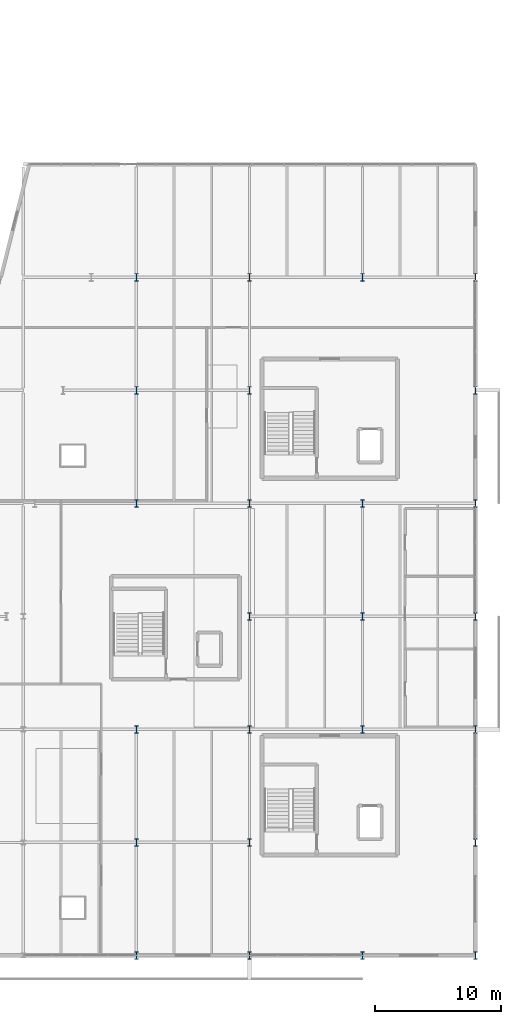
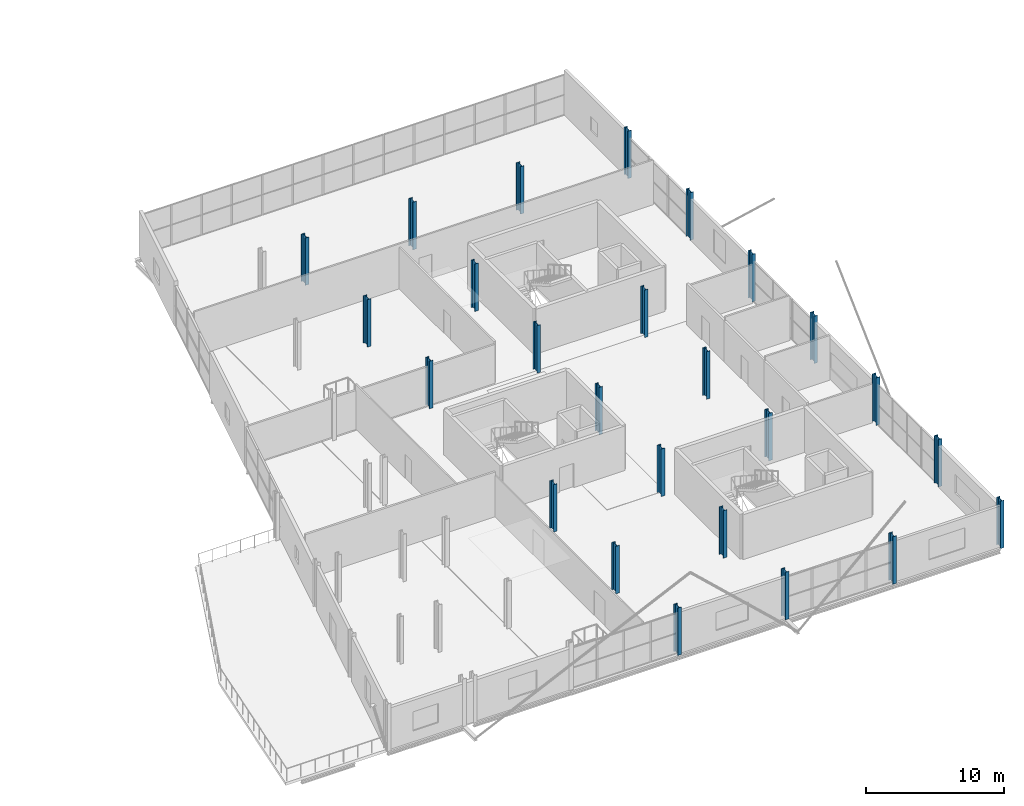
# One storey, part 5 of 59: 25 columns.
"""IFC4 building model written with IfcOpenShell, lengths in metres."""

from ifc_helpers import new_model, si_unit, direction, frame, origin, origin_2d, place, context, subcontext, project, spatial, i_section, extrude, material, material_profile, profile_set, type_object, element, save


model = new_model("IFC4")

# Units and contexts
model_context = context("Model", 3, precision=1e-05, world=origin(), true_north=direction((0.0, 1.0)))
body_context = subcontext(model_context, "Body", "Model", "MODEL_VIEW")
ifc_project = project(units=[si_unit("LENGTHUNIT", "METRE"), si_unit("AREAUNIT", "SQUARE_METRE"), si_unit("VOLUMEUNIT", "CUBIC_METRE"), si_unit("PLANEANGLEUNIT", "RADIAN"), si_unit("MASSUNIT", "GRAM", prefix="KILO")], contexts=[model_context])

# Site, building, storey
site_placement = place(None, origin())
site = spatial("IfcSite", under=ifc_project, at=site_placement, CompositionType="ELEMENT")
building_placement = place(site_placement, origin())
building = spatial("IfcBuilding", under=site, at=building_placement, Name="Deido Ridge Mobility Hub", CompositionType="ELEMENT")
storey_placement = place(building_placement, frame((0.0, 0.0, 21.0)))
storey = spatial("IfcBuildingStorey", under=building, at=storey_placement, Name="L05", CompositionType="ELEMENT", Elevation=21.0)

# Columns
ifc_material = material(Name="Steel S355J2 EN 10025-2", Category="steel")
ifc_material_profile = material_profile(ifc_material, i_section(OverallWidth=0.300048828125, OverallDepth=0.60009765625, WebThickness=0.015380859375, FlangeThickness=0.030029296875, FilletRadius=0.027099609375, at=origin_2d()), Name="HEB 600")
ifc_profile_set = profile_set([ifc_material_profile], Name="Steel S355J2 EN 10025-2")
column_type = type_object("IfcColumnType", Name="COL-HEB600", PredefinedType="COLUMN", material=ifc_profile_set)
for number, where, z_axis, x_axis, name in (
    (1, (153.0, 0.0, 0.0), (0.0, 0.0, 1.0), (1.0, 0.0, 0.0), "Structural column C4"),
    (2, (162.0, 0.0, 0.0), (0.0, 0.0, 1.0), (1.0, 0.0, 0.0), "Structural column C4"),
    (3, (171.0, 0.0, 0.0), (0.0, 0.0, 1.0), (1.0, 0.0, 0.0), "Structural column C4"),
    (4, (180.0, 0.0, 0.0), (0.0, 0.0, 1.0), (1.0, 0.0, 0.0), "Structural column C4"),
    (5, (153.0, 9.0, 0.0), (0.0, 0.0, 1.0), (1.0, 0.0, 0.0), "Structural column C4"),
    (6, (162.0, 9.0, 0.0), (0.0, 0.0, 1.0), (1.0, 0.0, 0.0), "Structural column C4"),
    (7, (180.0, 9.0, 0.0), (0.0, 0.0, 1.0), (1.0, 0.0, 0.0), "Structural column C4"),
    (8, (153.0, 18.0, 0.0), (0.0, 0.0, 1.0), (1.0, 0.0, 0.0), "Structural column C4"),
    (9, (162.0, 18.0, 0.0), (0.0, 0.0, 1.0), (1.0, 0.0, 0.0), "Structural column C4"),
    (10, (171.0, 18.0, 0.0), (0.0, 0.0, 1.0), (1.0, 0.0, 0.0), "Structural column C4"),
    (11, (180.0, 18.0, 0.0), (0.0, 0.0, 1.0), (1.0, 0.0, 0.0), "Structural column C4"),
    (12, (162.0, 27.0, 0.0), (0.0, 0.0, 1.0), (1.0, 0.0, 0.0), "Structural column C4"),
    (13, (171.0, 27.0, 0.0), (0.0, 0.0, 1.0), (1.0, 0.0, 0.0), "Structural column C4"),
    (14, (180.0, 27.0, 0.0), (0.0, 0.0, 1.0), (1.0, 0.0, 0.0), "Structural column C4"),
    (15, (153.0, 36.0, 0.0), (0.0, 0.0, 1.0), (1.0, 0.0, 0.0), "Structural column C4"),
    (16, (162.0, 36.0, 0.0), (0.0, 0.0, 1.0), (1.0, 0.0, 0.0), "Structural column C4"),
    (17, (171.0, 36.0, 0.0), (0.0, 0.0, 1.0), (1.0, 0.0, 0.0), "Structural column C4"),
    (18, (180.0, 36.0, 0.0), (0.0, 0.0, 1.0), (1.0, 0.0, 0.0), "Structural column C4"),
    (19, (153.0, 45.0, 0.0), (0.0, 0.0, 1.0), (1.0, 0.0, 0.0), "Structural column C4"),
    (20, (162.0, 45.0, 0.0), (0.0, 0.0, 1.0), (1.0, 0.0, 0.0), "Structural column C4"),
    (21, (180.0, 45.0, 0.0), (0.0, 0.0, 1.0), (1.0, 0.0, 0.0), "Structural column C4"),
    (22, (153.0, 54.0, 0.0), (0.0, 0.0, 1.0), (1.0, 0.0, 0.0), "Structural column C4"),
    (23, (162.0, 54.0, 0.0), (0.0, 0.0, 1.0), (1.0, 0.0, 0.0), "Structural column C4"),
    (24, (171.0, 54.0, 0.0), (0.0, 0.0, 1.0), (1.0, 0.0, 0.0), "Structural column C4"),
    (25, (180.0, 54.0, 0.0), (0.0, 0.0, 1.0), (1.0, 0.0, 0.0), "Structural column C4"),
):
    element("IfcColumn", number, at=place(storey_placement, frame(where, z_axis=z_axis, x_axis=x_axis)), inside=storey, type_object=column_type, Name=name, PredefinedType="COLUMN", context=body_context, shape_type="SweptSolid", body=[
        extrude(i_section(OverallWidth=0.300048828125, OverallDepth=0.60009765625, WebThickness=0.015380859375, FlangeThickness=0.030029296875, FilletRadius=0.027099609375, at=origin_2d()), origin(), (0.0, 0.0, 1.0), 4.199951171875),
    ])

save(model, "model.ifc")
